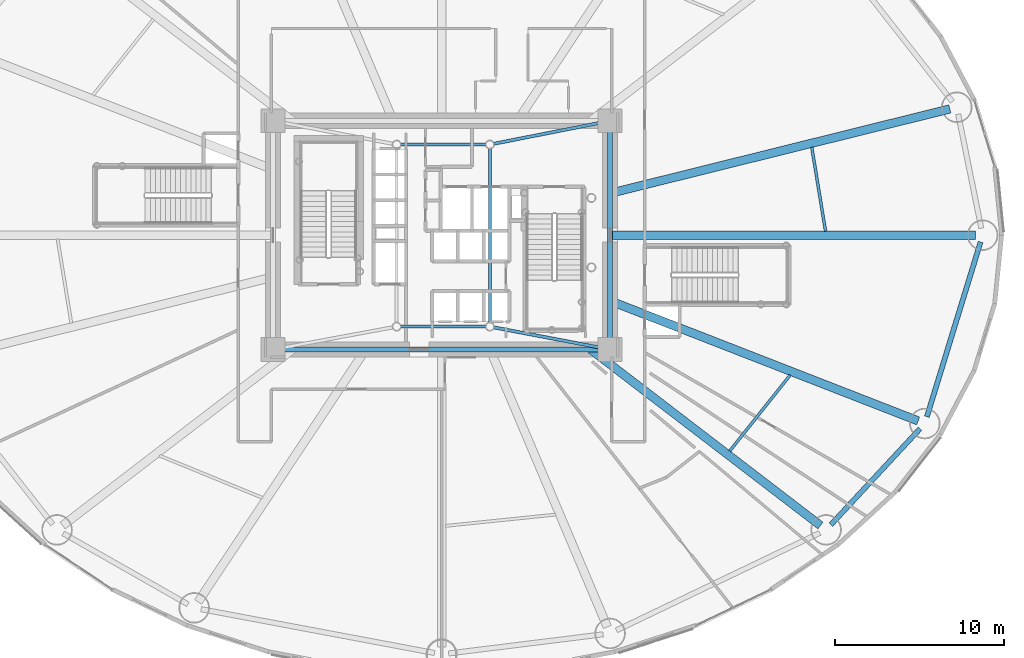
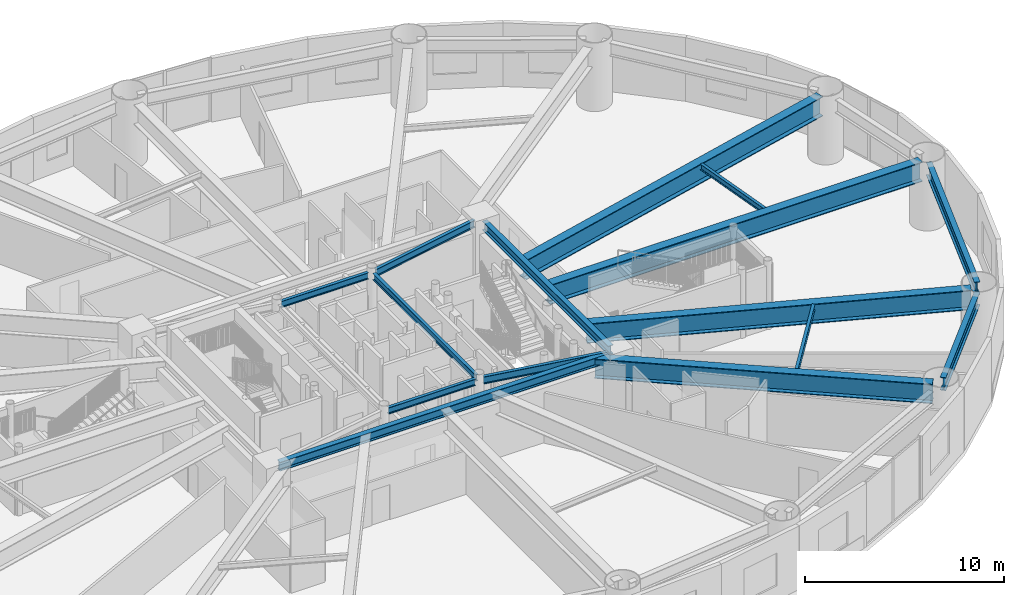
# One storey, part 7 of 27: 15 beams.
"""IFC4 building model written with IfcOpenShell, lengths in metres."""

from ifc_helpers import new_model, si_unit, direction, frame, origin, origin_2d, place, context, subcontext, project, spatial, i_section, extrude, material, material_profile, profile_set, type_object, element, save


model = new_model("IFC4")

# Units and contexts
model_context = context("Model", 3, precision=1e-05, world=origin(), true_north=direction((0.0, 1.0)))
body_context = subcontext(model_context, "Body", "Model", "MODEL_VIEW")
ifc_project = project(units=[si_unit("LENGTHUNIT", "METRE"), si_unit("AREAUNIT", "SQUARE_METRE"), si_unit("VOLUMEUNIT", "CUBIC_METRE"), si_unit("PLANEANGLEUNIT", "RADIAN"), si_unit("MASSUNIT", "GRAM", prefix="KILO")], contexts=[model_context])

# Site, building, storey
site_placement = place(None, origin())
site = spatial("IfcSite", under=ifc_project, at=site_placement, CompositionType="ELEMENT")
building_placement = place(site_placement, origin())
building = spatial("IfcBuilding", under=site, at=building_placement, Name="Linh Dai School and Residence Tower", CompositionType="ELEMENT")
storey_placement = place(building_placement, frame((0.0, 0.0, 22.800048828125)))
storey = spatial("IfcBuildingStorey", under=building, at=storey_placement, Name="L05", CompositionType="ELEMENT", Elevation=22.800048828125)

# Beams
ifc_material = material(Name="Structural Steel S355JR", Category="steel")
ifc_material_profile_1 = material_profile(ifc_material, i_section(OverallWidth=0.300048828125, OverallDepth=0.550048828125, WebThickness=0.014892578125, FlangeThickness=0.029052734375, FilletRadius=0.027099609375, at=origin_2d()), Name="HEB 550")
ifc_profile_set_1 = profile_set([ifc_material_profile_1], Name="Structural Steel S355JR")
beam_type_1 = type_object("IfcBeamType", Name="BM-RG55", PredefinedType="BEAM", material=ifc_profile_set_1)
beam_1_placement = place(storey_placement, frame((26.469970703125, 20.25, 3.625), z_axis=(1.0, 0.0, 0.0), x_axis=(0.0, 1.0, 0.0)))
element("IfcBeam", 1, at=beam_1_placement, inside=storey, type_object=beam_type_1, Name="L05 Core Perimeter Coupling Girder 1", PredefinedType="BEAM", context=body_context, shape_type="SweptSolid", body=[
    extrude(i_section(OverallWidth=0.300048828125, OverallDepth=0.550048828125, WebThickness=0.014892578125, FlangeThickness=0.029052734375, FilletRadius=0.027099609375, at=origin_2d()), origin(), (0.0, 0.0, 1.0), 19.06005859375),
])
beam_2_placement = place(storey_placement, frame((45.949951171875, 20.669921875, 3.625), z_axis=(0.0, 1.0, 0.0), x_axis=(-1.0, 0.0, 0.0)))
element("IfcBeam", 2, at=beam_2_placement, inside=storey, type_object=beam_type_1, Name="L05 Core Perimeter Coupling Girder 2", PredefinedType="BEAM", context=body_context, shape_type="SweptSolid", body=[
    extrude(i_section(OverallWidth=0.300048828125, OverallDepth=0.550048828125, WebThickness=0.014892578125, FlangeThickness=0.029052734375, FilletRadius=0.027099609375, at=origin_2d()), origin(), (0.0, 0.0, 1.0), 12.66015625),
])
ifc_material_profile_2 = material_profile(ifc_material, i_section(OverallWidth=0.300048828125, OverallDepth=0.800048828125, WebThickness=0.017578125, FlangeThickness=0.032958984375, FilletRadius=0.030029296875, at=origin_2d()), Name="HEB 800")
ifc_profile_set_2 = profile_set([ifc_material_profile_2], Name="Structural Steel S355JR")
beam_type_2 = type_object("IfcBeamType", Name="BM-RG8", PredefinedType="BEAM", material=ifc_profile_set_2)
beam_3_placement = place(storey_placement, frame((58.990966796875, 9.9072265625, 3.5), z_axis=(0.680345653715, 0.73289139132, 0.0), x_axis=(-0.73289139132, 0.680345653715, 0.0)))
element("IfcBeam", 3, at=beam_3_placement, inside=storey, type_object=beam_type_2, Name="L05 Perimeter Elliptical Ring Beam 15", PredefinedType="BEAM", context=body_context, shape_type="SweptSolid", body=[
    extrude(i_section(OverallWidth=0.300048828125, OverallDepth=0.800048828125, WebThickness=0.017578125, FlangeThickness=0.032958984375, FilletRadius=0.030029296875, at=origin_2d()), origin(), (0.0, 0.0, 1.0), 7.726806640625),
])
beam_4_placement = place(storey_placement, frame((64.656982421875, 16.279541015625, 3.5), z_axis=(0.293626522026, 0.955920219246, 0.0), x_axis=(-0.955920219246, 0.293626522026, 0.0)))
element("IfcBeam", 4, at=beam_4_placement, inside=storey, type_object=beam_type_2, Name="L05 Perimeter Elliptical Ring Beam 16", PredefinedType="BEAM", context=body_context, shape_type="SweptSolid", body=[
    extrude(i_section(OverallWidth=0.300048828125, OverallDepth=0.800048828125, WebThickness=0.017578125, FlangeThickness=0.032958984375, FilletRadius=0.030029296875, at=origin_2d()), origin(), (0.0, 0.0, 1.0), 10.794921875),
])
ifc_material_profile_3 = material_profile(ifc_material, i_section(OverallWidth=0.169921875, OverallDepth=0.360107421875, WebThickness=0.008056640625, FlangeThickness=0.0126953125, FilletRadius=0.01806640625, at=origin_2d()), Name="IPE 360")
ifc_profile_set_3 = profile_set([ifc_material_profile_3], Name="Structural Steel S355JR")
beam_type_3 = type_object("IfcBeamType", Name="BM-SB36", PredefinedType="BEAM", material=ifc_profile_set_3)
beam_5_placement = place(storey_placement, frame((58.6728515625, 27.22705078125, 3.719970703125), z_axis=(-0.161510904956, 0.986870927518, 0.0), x_axis=(-0.986870927518, -0.161510904956, 0.0)))
element("IfcBeam", 5, at=beam_5_placement, inside=storey, type_object=beam_type_3, Name="L05 Secondary Circumferential Floor Beam 01", PredefinedType="BEAM", context=body_context, shape_type="SweptSolid", body=[
    extrude(i_section(OverallWidth=0.169921875, OverallDepth=0.360107421875, WebThickness=0.008056640625, FlangeThickness=0.0126953125, FilletRadius=0.01806640625, at=origin_2d()), origin(), (0.0, 0.0, 1.0), 5.0322265625),
])
beam_6_placement = place(storey_placement, frame((53.011474609375, 14.25244140625, 3.719970703125), z_axis=(0.622918583331, 0.782286672864, 0.0), x_axis=(-0.782286672864, 0.622918583331, 0.0)))
element("IfcBeam", 6, at=beam_6_placement, inside=storey, type_object=beam_type_3, Name="L05 Secondary Circumferential Floor Beam 08", PredefinedType="BEAM", context=body_context, shape_type="SweptSolid", body=[
    extrude(i_section(OverallWidth=0.169921875, OverallDepth=0.360107421875, WebThickness=0.008056640625, FlangeThickness=0.0126953125, FilletRadius=0.01806640625, at=origin_2d()), origin(), (0.0, 0.0, 1.0), 5.737060546875),
])
ifc_material_profile_4 = material_profile(ifc_material, i_section(OverallWidth=0.179931640625, OverallDepth=0.39990234375, WebThickness=0.008544921875, FlangeThickness=0.013427734375, FilletRadius=0.02099609375, at=origin_2d()), Name="IPE 400")
ifc_profile_set_4 = profile_set([ifc_material_profile_4], Name="Structural Steel S355JR")
beam_type_4 = type_object("IfcBeamType", Name="BM-SB40", PredefinedType="BEAM", material=ifc_profile_set_4)
beam_7_placement = place(storey_placement, frame((33.573974609375, 21.60009765625, 3.699951171875), z_axis=(1.0, 0.0, 0.0), x_axis=(0.0, 1.0, 0.0)))
element("IfcBeam", 7, at=beam_7_placement, inside=storey, type_object=beam_type_4, Name="L05 Core Mast Pier Tie Beam 1", PredefinedType="BEAM", context=body_context, shape_type="SweptSolid", body=[
    extrude(i_section(OverallWidth=0.179931640625, OverallDepth=0.39990234375, WebThickness=0.008544921875, FlangeThickness=0.013427734375, FilletRadius=0.02099609375, at=origin_2d()), origin(), (0.0, 0.0, 1.0), 5.052001953125),
])
beam_8_placement = place(storey_placement, frame((38.85009765625, 21.823974609375, 3.699951171875), z_axis=(0.0, 1.0, 0.0), x_axis=(-1.0, 0.0, 0.0)))
element("IfcBeam", 8, at=beam_8_placement, inside=storey, type_object=beam_type_4, Name="L05 Core Mast Pier Tie Beam 2", PredefinedType="BEAM", context=body_context, shape_type="SweptSolid", body=[
    extrude(i_section(OverallWidth=0.179931640625, OverallDepth=0.39990234375, WebThickness=0.008544921875, FlangeThickness=0.013427734375, FilletRadius=0.02099609375, at=origin_2d()), origin(), (0.0, 0.0, 1.0), 10.302001953125),
])
beam_9_placement = place(storey_placement, frame((38.6259765625, 32.35009765625, 3.699951171875), z_axis=(-1.0, 0.0, 0.0), x_axis=(0.0, -1.0, 0.0)))
element("IfcBeam", 9, at=beam_9_placement, inside=storey, type_object=beam_type_4, Name="L05 Core Mast Pier Tie Beam 3", PredefinedType="BEAM", context=body_context, shape_type="SweptSolid", body=[
    extrude(i_section(OverallWidth=0.179931640625, OverallDepth=0.39990234375, WebThickness=0.008544921875, FlangeThickness=0.013427734375, FilletRadius=0.02099609375, at=origin_2d()), origin(), (0.0, 0.0, 1.0), 5.052001953125),
])
ifc_material_profile_5 = material_profile(ifc_material, i_section(OverallWidth=0.18994140625, OverallDepth=0.449951171875, WebThickness=0.009521484375, FlangeThickness=0.0146484375, FilletRadius=0.02099609375, at=origin_2d()), Name="IPE 450")
ifc_profile_set_5 = profile_set([ifc_material_profile_5], Name="Structural Steel S355JR")
beam_type_5 = type_object("IfcBeamType", Name="BM-SB45", PredefinedType="BEAM", material=ifc_profile_set_5)
beam_10_placement = place(storey_placement, frame((45.537353515625, 20.328369140625, 3.675048828125), z_axis=(-0.982397918823, 0.186800238471, 0.0), x_axis=(-0.186800238471, -0.982397918823, 0.0)))
element("IfcBeam", 10, at=beam_10_placement, inside=storey, type_object=beam_type_5, Name="L05 Core Corner-to-Mast Pier Beam 2", PredefinedType="BEAM", context=body_context, shape_type="SweptSolid", body=[
    extrude(i_section(OverallWidth=0.18994140625, OverallDepth=0.449951171875, WebThickness=0.009521484375, FlangeThickness=0.0146484375, FilletRadius=0.02099609375, at=origin_2d()), origin(), (0.0, 0.0, 1.0), 6.583251953125),
])
beam_11_placement = place(storey_placement, frame((45.537841796875, 33.668701171875, 3.675048828125), z_axis=(-0.981108354988, -0.193459028666, 0.0), x_axis=(0.193459028666, -0.981108354988, 0.0)))
element("IfcBeam", 11, at=beam_11_placement, inside=storey, type_object=beam_type_5, Name="L05 Core Corner-to-Mast Pier Beam 3", PredefinedType="BEAM", context=body_context, shape_type="SweptSolid", body=[
    extrude(i_section(OverallWidth=0.18994140625, OverallDepth=0.449951171875, WebThickness=0.009521484375, FlangeThickness=0.0146484375, FilletRadius=0.02099609375, at=origin_2d()), origin(), (0.0, 0.0, 1.0), 6.592529296875),
])
ifc_material_profile_6 = material_profile(ifc_material, i_section(OverallWidth=0.5, OverallDepth=1.199951171875, WebThickness=0.02392578125, FlangeThickness=0.044921875, at=origin_2d()), Name="PG 1200x500x24x45")
ifc_profile_set_6 = profile_set([ifc_material_profile_6], Name="Structural Steel S355JR")
beam_type_6 = type_object("IfcBeamType", Name="BM-TG12", PredefinedType="BEAM", material=ifc_profile_set_6)
beam_12_placement = place(storey_placement, frame((45.949951171875, 27.0, 3.300048828125), z_axis=(1.0, 0.0, 0.0), x_axis=(0.0, 1.0, 0.0)))
element("IfcBeam", 12, at=beam_12_placement, inside=storey, type_object=beam_type_6, Name="L05 Primary Radial Floor Girder 01", PredefinedType="BEAM", context=body_context, shape_type="SweptSolid", body=[
    extrude(i_section(OverallWidth=0.5, OverallDepth=1.199951171875, WebThickness=0.02392578125, FlangeThickness=0.044921875, at=origin_2d()), origin(), (0.0, 0.0, 1.0), 21.580078125),
])
beam_13_placement = place(storey_placement, frame((45.949951171875, 29.47119140625, 3.300048828125), z_axis=(0.970515097282, 0.241040340913, 0.0), x_axis=(-0.241040340913, 0.970515097282, 0.0)))
element("IfcBeam", 13, at=beam_13_placement, inside=storey, type_object=beam_type_6, Name="L05 Primary Radial Floor Girder 02", PredefinedType="BEAM", context=body_context, shape_type="SweptSolid", body=[
    extrude(i_section(OverallWidth=0.5, OverallDepth=1.199951171875, WebThickness=0.02392578125, FlangeThickness=0.044921875, at=origin_2d()), origin(), (0.0, 0.0, 1.0), 20.672607421875),
])
beam_14_placement = place(storey_placement, frame((44.807861328125, 20.25, 3.300048828125), z_axis=(0.793713040757, -0.608292371259, 0.0), x_axis=(0.608292371259, 0.793713040757, 0.0)))
element("IfcBeam", 14, at=beam_14_placement, inside=storey, type_object=beam_type_6, Name="L05 Primary Radial Floor Girder 15", PredefinedType="BEAM", context=body_context, shape_type="SweptSolid", body=[
    extrude(i_section(OverallWidth=0.5, OverallDepth=1.199951171875, WebThickness=0.02392578125, FlangeThickness=0.044921875, at=origin_2d()), origin(), (0.0, 0.0, 1.0), 17.08935546875),
])
beam_15_placement = place(storey_placement, frame((45.949951171875, 23.12158203125, 3.300048828125), z_axis=(0.931723276589, -0.363169018312, 0.0), x_axis=(0.363169018312, 0.931723276589, 0.0)))
element("IfcBeam", 15, at=beam_15_placement, inside=storey, type_object=beam_type_6, Name="L05 Primary Radial Floor Girder 16", PredefinedType="BEAM", context=body_context, shape_type="SweptSolid", body=[
    extrude(i_section(OverallWidth=0.5, OverallDepth=1.199951171875, WebThickness=0.02392578125, FlangeThickness=0.044921875, at=origin_2d()), origin(), (0.0, 0.0, 1.0), 19.525634765625),
])

save(model, "model.ifc")
